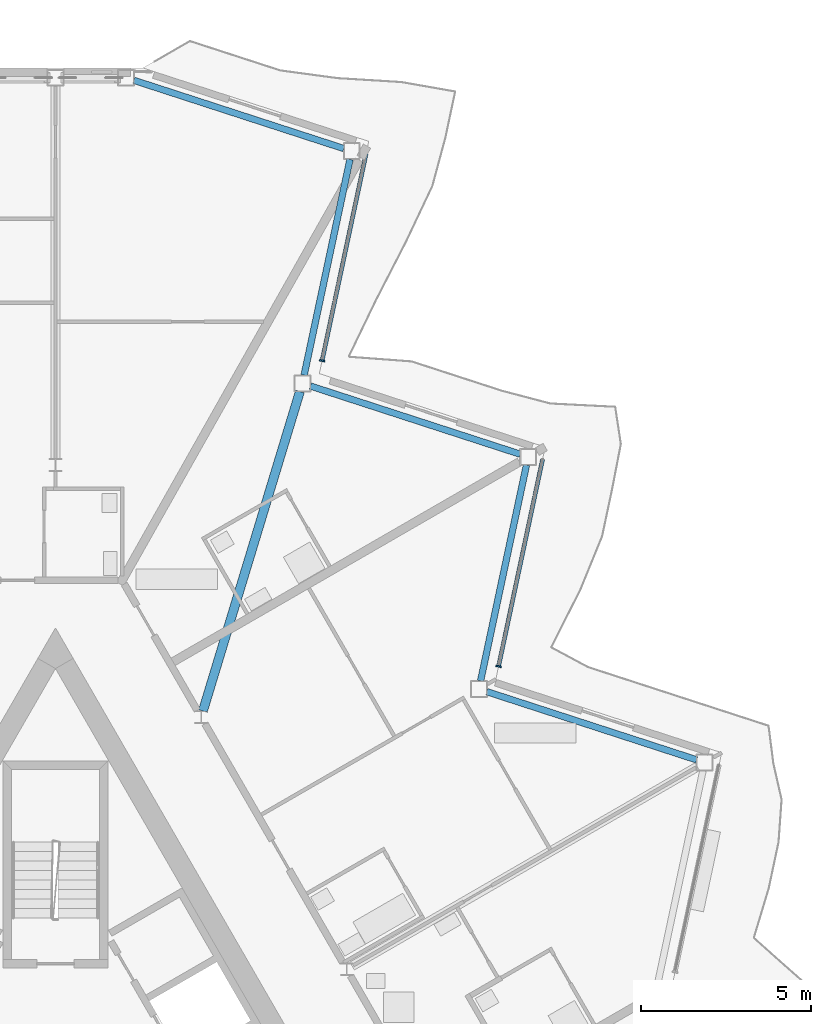
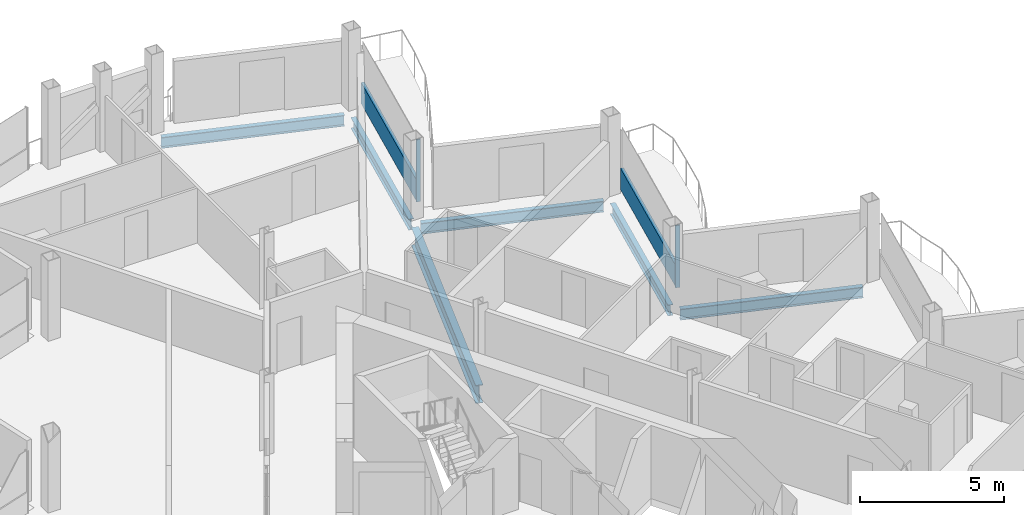
# One storey, part 10 of 26: 6 beams, 4 members, 2 elements without a shape of their own.
"""IFC4 building model written with IfcOpenShell, lengths in metres."""

from ifc_helpers import new_model, si_unit, direction, frame, origin, origin_2d, place, context, subcontext, project, spatial, rectangle, i_section, extrude, material, layer, layer_set, material_profile, profile_set, type_object, element, aggregate, save


model = new_model("IFC4")

# Units and contexts
model_context = context("Model", 3, precision=1e-05, world=origin(), true_north=direction((0.0, 1.0)))
body_context = subcontext(model_context, "Body", "Model", "MODEL_VIEW")
ifc_project = project(units=[si_unit("LENGTHUNIT", "METRE"), si_unit("AREAUNIT", "SQUARE_METRE"), si_unit("VOLUMEUNIT", "CUBIC_METRE"), si_unit("PLANEANGLEUNIT", "RADIAN"), si_unit("MASSUNIT", "GRAM", prefix="KILO")], contexts=[model_context])

# Site, building, storey
site_placement = place(None, origin())
site = spatial("IfcSite", under=ifc_project, at=site_placement, CompositionType="ELEMENT")
building_placement = place(site_placement, origin())
building = spatial("IfcBuilding", under=site, at=building_placement, Name="Cormorant Prow Tower", CompositionType="ELEMENT")
storey_placement = place(building_placement, frame((0.0, 0.0, 371.199951171875)))
storey = spatial("IfcBuildingStorey", under=building, at=storey_placement, Name="L83", CompositionType="ELEMENT", Elevation=371.199951171875)

# Beam
ifc_material_1 = material(Name="Structural steel ASTM A992 Gr 50", Category="steel")
ifc_material_profile_1 = material_profile(ifc_material_1, i_section(OverallWidth=0.267822265625, OverallDepth=0.77001953125, WebThickness=0.015625, FlangeThickness=0.025390625, at=origin_2d()), Name="W30x132")
ifc_profile_set_1 = profile_set([ifc_material_profile_1], Name="Structural steel ASTM A992 Gr 50")
beam_type_1 = type_object("IfcBeamType", Name="Radial floor beam W30x132", PredefinedType="BEAM", material=ifc_profile_set_1)
beam_1_placement = place(storey_placement, frame((4.343505859375, 12.560791015625, -0.684814453125), z_axis=(0.290499864147, 0.956875033079, 0.0), x_axis=(-0.956875033079, 0.290499864147, 0.0)))
element("IfcBeam", 1, at=beam_1_placement, inside=storey, type_object=beam_type_1, Name="Radial floor beam FB3 12 L83", PredefinedType="BEAM", context=body_context, shape_type="SweptSolid", body=[
    extrude(i_section(OverallWidth=0.267822265625, OverallDepth=0.77001953125, WebThickness=0.015625, FlangeThickness=0.025390625, at=origin_2d()), origin(), (0.0, 0.0, 1.0), 9.837158203125),
])

# Curtain wall, member
ifc_material_2 = material(Name="Aluminium 6063-T6", Category="aluminium")
ifc_layer = layer(ifc_material_2, 0.159912109375)
ifc_layer_set = layer_set([ifc_layer], Name="Aluminium 6063-T6")
curtain_wall_type = type_object("IfcCurtainWallType", Name="Residential unitised curtain wall 160", PredefinedType="NOTDEFINED", material=ifc_layer_set)
curtain_wall_1_placement = place(storey_placement, origin())
curtain_wall_1 = element("IfcCurtainWall", 2, at=curtain_wall_1_placement, inside=storey, type_object=curtain_wall_type, Name="Residential curtain wall ENE06", PredefinedType="NOTDEFINED")
ifc_material_3 = material(Name="Aluminium 6063-T6", Category="aluminium")
ifc_material_profile_2 = material_profile(ifc_material_3, rectangle(XDim=0.159912109375, YDim=0.050048828125, at=origin_2d()), Name="Residential mullion 50x160")
ifc_profile_set_2 = profile_set([ifc_material_profile_2], Name="Aluminium 6063-T6")
member_type_1 = type_object("IfcMemberType", Name="Residential mullion 50x160", PredefinedType="MULLION", material=ifc_profile_set_2)
member_1_placement = place(storey_placement, frame((13.055419921875, 13.87744140625, 0.0), z_axis=(0.0, 0.0, 1.0), x_axis=(-0.978147615768, 0.207911620089, 0.0)))
member_1 = element("IfcMember", 3, at=member_1_placement, type_object=member_type_1, Name="Residential mullion ENE06", PredefinedType="MULLION", context=body_context, shape_type="SweptSolid", body=[
    extrude(rectangle(XDim=0.159912109375, YDim=0.050048828125, at=origin_2d()), origin(), (0.0, 0.0, 1.0), 2.634033203125),
])

curtain_wall_2_placement = place(storey_placement, origin())
curtain_wall_2 = element("IfcCurtainWall", 4, at=curtain_wall_2_placement, inside=storey, type_object=curtain_wall_type, Name="Residential curtain wall ENE08", PredefinedType="NOTDEFINED")
member_2_placement = place(storey_placement, frame((7.85546875, 22.88427734375, 0.0), z_axis=(0.0, 0.0, 1.0), x_axis=(-0.978147609588, 0.207911649162, 0.0)))
member_2 = element("IfcMember", 5, at=member_2_placement, type_object=member_type_1, Name="Residential mullion ENE08", PredefinedType="MULLION", context=body_context, shape_type="SweptSolid", body=[
    extrude(rectangle(XDim=0.159912109375, YDim=0.050048828125, at=origin_2d()), origin(), (0.0, 0.0, 1.0), 2.634033203125),
])

# Member
ifc_material_4 = material(Name="Terracotta", Category="masonry")
ifc_material_profile_3 = material_profile(ifc_material_4, rectangle(XDim=0.1201171875, YDim=0.89990234375, at=origin_2d()), Name="Residential terracotta spandrel rail 120x900")
ifc_profile_set_3 = profile_set([ifc_material_profile_3], Name="Terracotta")
member_type_2 = type_object("IfcMemberType", Name="Residential terracotta spandrel rail 120x900", PredefinedType="USERDEFINED", material=ifc_profile_set_3)
member_3_placement = place(storey_placement, frame((13.060546875, 13.902099609375, 0.449951171875), z_axis=(0.207916541247, 0.978146569731, 0.0), x_axis=(-0.978146569731, 0.207916541247, 0.0)))
member_3 = element("IfcMember", 6, at=member_3_placement, type_object=member_type_2, Name="Residential spandrel rail ENE06", ObjectType="TRANSOM", PredefinedType="USERDEFINED", context=body_context, shape_type="SweptSolid", body=[
    extrude(rectangle(XDim=0.1201171875, YDim=0.89990234375, at=origin_2d()), origin(), (0.0, 0.0, 1.0), 6.215087890625),
])

aggregate(curtain_wall_1, [member_1, member_3])

member_4_placement = place(storey_placement, frame((7.860595703125, 22.90869140625, 0.449951171875), z_axis=(0.207916541247, 0.978146569731, 0.0), x_axis=(-0.978146569731, 0.207916541247, 0.0)))
member_4 = element("IfcMember", 7, at=member_4_placement, type_object=member_type_2, Name="Residential spandrel rail ENE08", ObjectType="TRANSOM", PredefinedType="USERDEFINED", context=body_context, shape_type="SweptSolid", body=[
    extrude(rectangle(XDim=0.1201171875, YDim=0.89990234375, at=origin_2d()), origin(), (0.0, 0.0, 1.0), 6.215087890625),
])

aggregate(curtain_wall_2, [member_2, member_4])

# Beams
ifc_material_5 = material(Name="Structural steel ASTM A992 Gr 50", Category="steel")
ifc_material_profile_4 = material_profile(ifc_material_5, i_section(OverallWidth=0.19287109375, OverallDepth=0.466064453125, WebThickness=0.011474609375, FlangeThickness=0.01904296875, at=origin_2d()), Name="W18x65")
ifc_profile_set_4 = profile_set([ifc_material_profile_4], Name="Structural steel ASTM A992 Gr 50")
beam_type_2 = type_object("IfcBeamType", Name="Spandrel beam W18x65", PredefinedType="SPANDREL", material=ifc_profile_set_4)
beam_2_placement = place(storey_placement, frame((18.890869140625, 11.12109375, -0.532958984375), z_axis=(-0.951053396625, 0.309026595569, 0.0), x_axis=(-0.309026595569, -0.951053396625, 0.0)))
element("IfcBeam", 8, at=beam_2_placement, inside=storey, type_object=beam_type_2, Name="Spandrel beam SB4 ENE05-ENE06 L83", PredefinedType="SPANDREL", context=body_context, shape_type="SweptSolid", body=[
    extrude(i_section(OverallWidth=0.19287109375, OverallDepth=0.466064453125, WebThickness=0.011474609375, FlangeThickness=0.01904296875, at=origin_2d()), origin(), (0.0, 0.0, 1.0), 6.497314453125),
])
beam_3_placement = place(storey_placement, frame((12.52587890625, 13.45068359375, -0.532958984375), z_axis=(0.207901897373, 0.978149682344, 0.0), x_axis=(-0.978149682344, 0.207901897373, 0.0)))
element("IfcBeam", 9, at=beam_3_placement, inside=storey, type_object=beam_type_2, Name="Spandrel beam SB4 ENE06-ENE07 L83", PredefinedType="SPANDREL", context=body_context, shape_type="SweptSolid", body=[
    extrude(i_section(OverallWidth=0.19287109375, OverallDepth=0.466064453125, WebThickness=0.011474609375, FlangeThickness=0.01904296875, at=origin_2d()), origin(), (0.0, 0.0, 1.0), 6.49755859375),
])
beam_4_placement = place(storey_placement, frame((13.69091796875, 20.1279296875, -0.532958984375), z_axis=(-0.951068027308, 0.308981564875, 0.0), x_axis=(-0.308981564875, -0.951068027308, 0.0)))
element("IfcBeam", 10, at=beam_4_placement, inside=storey, type_object=beam_type_2, Name="Spandrel beam SB4 ENE07-ENE08 L83", PredefinedType="SPANDREL", context=body_context, shape_type="SweptSolid", body=[
    extrude(i_section(OverallWidth=0.19287109375, OverallDepth=0.466064453125, WebThickness=0.011474609375, FlangeThickness=0.01904296875, at=origin_2d()), origin(), (0.0, 0.0, 1.0), 6.497314453125),
])
for number, where, z_axis, x_axis, name in (
    (11, (7.32568359375, 22.457275390625, -0.532958984375), (0.20793784774, 0.978142040543, 0.0), (-0.978142040543, 0.20793784774, 0.0), "Spandrel beam SB4 ENE08-ENE09 L83"),
    (12, (8.490966796875, 29.134521484375, -0.532958984375), (-0.951056984862, 0.30901555227, 0.0), (-0.30901555227, -0.951056984862, 0.0), "Spandrel beam SB4 ENE09-N00 L83"),
):
    element("IfcBeam", number, at=place(storey_placement, frame(where, z_axis=z_axis, x_axis=x_axis)), inside=storey, type_object=beam_type_2, Name=name, PredefinedType="SPANDREL", context=body_context, shape_type="SweptSolid", body=[
        extrude(i_section(OverallWidth=0.19287109375, OverallDepth=0.466064453125, WebThickness=0.011474609375, FlangeThickness=0.01904296875, at=origin_2d()), origin(), (0.0, 0.0, 1.0), 6.49755859375),
    ])

save(model, "model.ifc")
